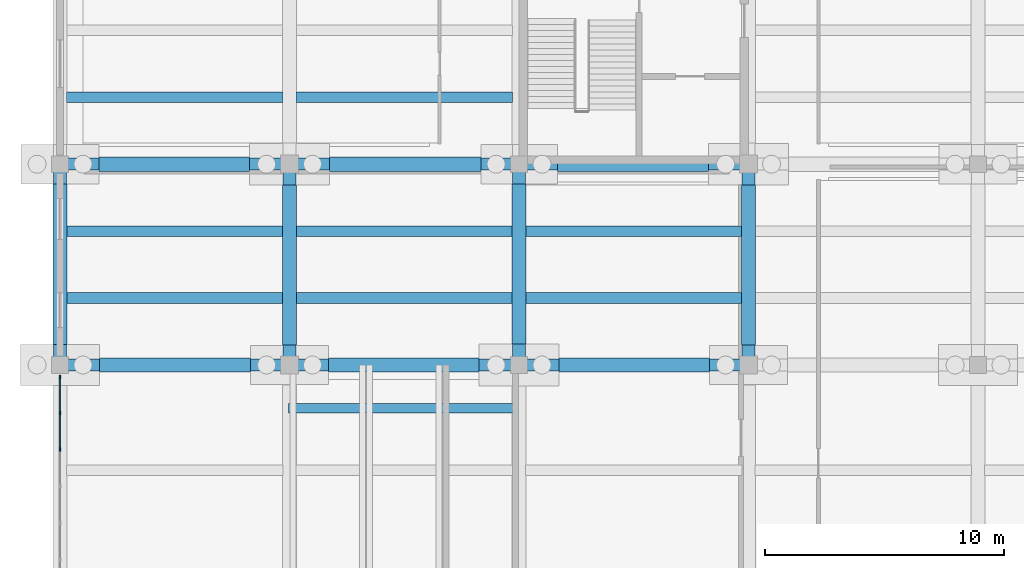
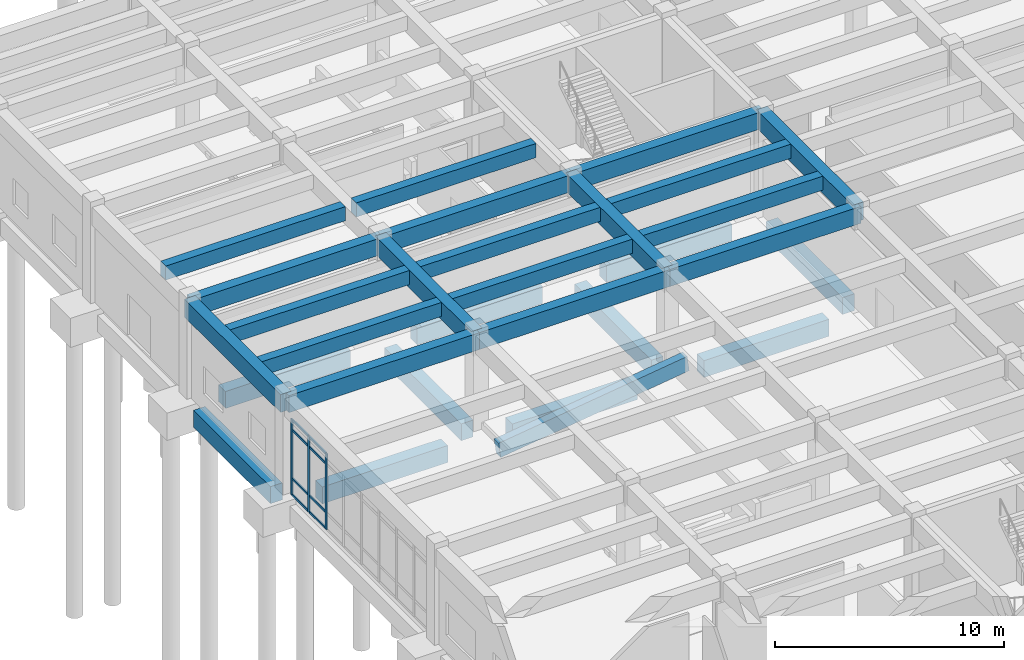
# One storey, part 17 of 102: 29 beams, 11 members, 1 element without a shape of its own.
"""IFC4 building model written with IfcOpenShell, lengths in metres."""

from ifc_helpers import new_model, si_unit, direction, frame, origin, origin_2d, place, context, subcontext, project, spatial, rectangle, extrude, material, layer, layer_set, material_profile, profile_set, type_object, element, aggregate, save


model = new_model("IFC4")

# Units and contexts
model_context = context("Model", 3, precision=1e-05, world=origin(), true_north=direction((0.0, 1.0)))
body_context = subcontext(model_context, "Body", "Model", "MODEL_VIEW")
ifc_project = project(units=[si_unit("LENGTHUNIT", "METRE"), si_unit("AREAUNIT", "SQUARE_METRE"), si_unit("VOLUMEUNIT", "CUBIC_METRE"), si_unit("PLANEANGLEUNIT", "RADIAN"), si_unit("MASSUNIT", "GRAM", prefix="KILO")], contexts=[model_context])

# Site, building, storey
site_placement = place(None, origin())
site = spatial("IfcSite", under=ifc_project, at=site_placement, CompositionType="ELEMENT")
building_placement = place(site_placement, origin())
building = spatial("IfcBuilding", under=site, at=building_placement, Name="Kolvemor Railside Polytechnic", CompositionType="ELEMENT")
storey_placement = place(building_placement, origin())
storey = spatial("IfcBuildingStorey", under=building, at=storey_placement, Name="L00", CompositionType="ELEMENT", Elevation=0.0)

# Beams
ifc_material_1 = material(Name="Concrete C40/50", Category="concrete")
ifc_material_profile_1 = material_profile(ifc_material_1, rectangle(XDim=0.550048828125, YDim=0.949951171875, at=origin_2d()), Name="RC550x950")
ifc_profile_set_1 = profile_set([ifc_material_profile_1], Name="Concrete C40/50")
beam_type_1 = type_object("IfcBeamType", Name="BM-RC-GIRD", PredefinedType="BEAM", material=ifc_profile_set_1)
for number, where, z_axis, x_axis, name in (
    (1, (0.0, 51.60009765625, 4.635009765625), (0.0, 1.0, 0.0), (-1.0, 0.0, 0.0), "Primary Girder L01-GY 0056"),
    (2, (9.60009765625, 51.60009765625, 4.635009765625), (0.0, 1.0, 0.0), (-1.0, 0.0, 0.0), "Primary Girder L01-GY 0065"),
    (3, (19.199951171875, 51.60009765625, 4.635009765625), (0.0, 1.0, 0.0), (-1.0, 0.0, 0.0), "Primary Girder L01-GY 0074"),
    (4, (28.800048828125, 51.60009765625, 4.635009765625), (0.0, 1.0, 0.0), (-1.0, 0.0, 0.0), "Primary Girder L01-GY 0083"),
):
    element("IfcBeam", number, at=place(storey_placement, frame(where, z_axis=z_axis, x_axis=x_axis)), inside=storey, type_object=beam_type_1, Name=name, PredefinedType="BEAM", context=body_context, shape_type="SweptSolid", body=[
        extrude(rectangle(XDim=0.550048828125, YDim=0.949951171875, at=origin_2d()), origin(), (0.0, 0.0, 1.0), 8.39990234375),
    ])
ifc_material_2 = material(Name="Concrete C40/50", Category="concrete")
ifc_material_profile_2 = material_profile(ifc_material_2, rectangle(XDim=0.5, YDim=0.89990234375, at=origin_2d()), Name="RC500x900")
ifc_profile_set_2 = profile_set([ifc_material_profile_2], Name="Concrete C40/50")
beam_type_2 = type_object("IfcBeamType", Name="BM-RC-GIRD4", PredefinedType="BEAM", material=ifc_profile_set_2)
beam_1_placement = place(storey_placement, frame((0.0, 51.60009765625, 4.659912109375), z_axis=(1.0, 0.0, 0.0), x_axis=(0.0, 1.0, 0.0)))
element("IfcBeam", 5, at=beam_1_placement, inside=storey, type_object=beam_type_2, Name="Primary Girder L01-GX 0026", PredefinedType="BEAM", context=body_context, shape_type="SweptSolid", body=[
    extrude(rectangle(XDim=0.5, YDim=0.89990234375, at=origin_2d()), origin(), (0.0, 0.0, 1.0), 9.60009765625),
])
beam_2_placement = place(storey_placement, frame((9.60009765625, 51.60009765625, 4.659912109375), z_axis=(1.0, 0.0, 0.0), x_axis=(0.0, 1.0, 0.0)))
element("IfcBeam", 6, at=beam_2_placement, inside=storey, type_object=beam_type_2, Name="Primary Girder L01-GX 0027", PredefinedType="BEAM", context=body_context, shape_type="SweptSolid", body=[
    extrude(rectangle(XDim=0.5, YDim=0.89990234375, at=origin_2d()), origin(), (0.0, 0.0, 1.0), 9.599853515625),
])
for number, where, z_axis, x_axis, name in (
    (7, (19.199951171875, 51.60009765625, 4.659912109375), (1.0, 0.0, 0.0), (0.0, 1.0, 0.0), "Primary Girder L01-GX 0028"),
    (8, (0.0, 60.0, 4.659912109375), (1.0, 0.0, 0.0), (0.0, 1.0, 0.0), "Primary Girder L01-GX 0031"),
):
    element("IfcBeam", number, at=place(storey_placement, frame(where, z_axis=z_axis, x_axis=x_axis)), inside=storey, type_object=beam_type_2, Name=name, PredefinedType="BEAM", context=body_context, shape_type="SweptSolid", body=[
        extrude(rectangle(XDim=0.5, YDim=0.89990234375, at=origin_2d()), origin(), (0.0, 0.0, 1.0), 9.60009765625),
    ])
beam_3_placement = place(storey_placement, frame((9.60009765625, 60.0, 4.659912109375), z_axis=(1.0, 0.0, 0.0), x_axis=(0.0, 1.0, 0.0)))
element("IfcBeam", 9, at=beam_3_placement, inside=storey, type_object=beam_type_2, Name="Primary Girder L01-GX 0032", PredefinedType="BEAM", context=body_context, shape_type="SweptSolid", body=[
    extrude(rectangle(XDim=0.5, YDim=0.89990234375, at=origin_2d()), origin(), (0.0, 0.0, 1.0), 9.599853515625),
])
beam_4_placement = place(storey_placement, frame((19.199951171875, 60.0, 4.659912109375), z_axis=(1.0, 0.0, 0.0), x_axis=(0.0, 1.0, 0.0)))
element("IfcBeam", 10, at=beam_4_placement, inside=storey, type_object=beam_type_2, Name="Primary Girder L01-GX 0033", PredefinedType="BEAM", context=body_context, shape_type="SweptSolid", body=[
    extrude(rectangle(XDim=0.5, YDim=0.89990234375, at=origin_2d()), origin(), (0.0, 0.0, 1.0), 9.60009765625),
])
ifc_material_3 = material(Name="Concrete C40/50", Category="concrete")
ifc_material_profile_3 = material_profile(ifc_material_3, rectangle(XDim=0.39990234375, YDim=0.800048828125, at=origin_2d()), Name="RC400x800")
ifc_profile_set_3 = profile_set([ifc_material_profile_3], Name="Concrete C40/50")
beam_type_3 = type_object("IfcBeamType", Name="BM-RC-RAKER", PredefinedType="BEAM", material=ifc_profile_set_3)
beam_5_placement = place(storey_placement, frame((9.60009765625, 49.800048828125, -0.10009765625), z_axis=(0.990765911477, 0.0, 0.135583585491), x_axis=(0.0, 1.0, 0.0)))
element("IfcBeam", 11, at=beam_5_placement, inside=storey, type_object=beam_type_3, Name="Lecture Raker Beam RK-2-2", PredefinedType="BEAM", context=body_context, shape_type="SweptSolid", body=[
    extrude(rectangle(XDim=0.39990234375, YDim=0.800048828125, at=origin_2d()), origin(), (0.0, 0.0, 1.0), 9.588623046875),
])
ifc_material_4 = material(Name="Concrete C40/50", Category="concrete")
ifc_material_profile_4 = material_profile(ifc_material_4, rectangle(XDim=0.449951171875, YDim=0.75, at=origin_2d()), Name="RC450x750")
ifc_profile_set_4 = profile_set([ifc_material_profile_4], Name="Concrete C40/50")
beam_type_4 = type_object("IfcBeamType", Name="BM-RC-SEC", PredefinedType="JOIST", material=ifc_profile_set_4)
for number, where, z_axis, x_axis, name in (
    (12, (0.27490234375, 54.39990234375, 4.735107421875), (1.0, 0.0, 0.0), (0.0, 1.0, 0.0), "Floor Joist L01-J0115"),
    (13, (0.27490234375, 57.199951171875, 4.735107421875), (1.0, 0.0, 0.0), (0.0, 1.0, 0.0), "Floor Joist L01-J0116"),
    (14, (0.27490234375, 62.800048828125, 4.735107421875), (1.0, 0.0, 0.0), (0.0, 1.0, 0.0), "Floor Joist L01-J0117"),
    (15, (9.875, 54.39990234375, 4.735107421875), (1.0, 0.0, 0.0), (0.0, 1.0, 0.0), "Floor Joist L01-J0133"),
    (16, (9.875, 57.199951171875, 4.735107421875), (1.0, 0.0, 0.0), (0.0, 1.0, 0.0), "Floor Joist L01-J0134"),
    (17, (9.875, 62.800048828125, 4.735107421875), (1.0, 0.0, 0.0), (0.0, 1.0, 0.0), "Floor Joist L01-J0135"),
):
    element("IfcBeam", number, at=place(storey_placement, frame(where, z_axis=z_axis, x_axis=x_axis)), inside=storey, type_object=beam_type_4, Name=name, PredefinedType="JOIST", context=body_context, shape_type="SweptSolid", body=[
        extrude(rectangle(XDim=0.449951171875, YDim=0.75, at=origin_2d()), origin(), (0.0, 0.0, 1.0), 9.050048828125),
    ])
for number, where, z_axis, x_axis, name in (
    (18, (19.47509765625, 54.39990234375, 4.735107421875), (1.0, 0.0, 0.0), (0.0, 1.0, 0.0), "Floor Joist L01-J0149"),
    (19, (19.47509765625, 57.199951171875, 4.735107421875), (1.0, 0.0, 0.0), (0.0, 1.0, 0.0), "Floor Joist L01-J0150"),
):
    element("IfcBeam", number, at=place(storey_placement, frame(where, z_axis=z_axis, x_axis=x_axis)), inside=storey, type_object=beam_type_4, Name=name, PredefinedType="JOIST", context=body_context, shape_type="SweptSolid", body=[
        extrude(rectangle(XDim=0.449951171875, YDim=0.75, at=origin_2d()), origin(), (0.0, 0.0, 1.0), 9.0498046875),
    ])
ifc_material_5 = material(Name="Concrete C40/50", Category="concrete")
ifc_material_profile_5 = material_profile(ifc_material_5, rectangle(XDim=0.60009765625, YDim=0.89990234375, at=origin_2d()), Name="RC600x900")
ifc_profile_set_5 = profile_set([ifc_material_profile_5], Name="Concrete C40/50")
beam_type_5 = type_object("IfcBeamType", Name="BM-RC-TIE", PredefinedType="BEAM", material=ifc_profile_set_5)
beam_6_placement = place(storey_placement, frame((1.652099609375, 51.60009765625, -0.75), z_axis=(1.0, 0.0, 0.0), x_axis=(0.0, 1.0, 0.0)))
element("IfcBeam", 20, at=beam_6_placement, inside=storey, type_object=beam_type_5, Name="Ground Tie Beam GTB-X135", PredefinedType="BEAM", context=body_context, shape_type="SweptSolid", body=[
    extrude(rectangle(XDim=0.60009765625, YDim=0.89990234375, at=origin_2d()), origin(), (0.0, 0.0, 1.0), 6.32080078125),
])
beam_7_placement = place(storey_placement, frame((11.22705078125, 51.60009765625, -0.75), z_axis=(1.0, 0.0, 0.0), x_axis=(0.0, 1.0, 0.0)))
element("IfcBeam", 21, at=beam_7_placement, inside=storey, type_object=beam_type_5, Name="Ground Tie Beam GTB-X136", PredefinedType="BEAM", context=body_context, shape_type="SweptSolid", body=[
    extrude(rectangle(XDim=0.60009765625, YDim=0.89990234375, at=origin_2d()), origin(), (0.0, 0.0, 1.0), 6.2958984375),
])
for number, where, z_axis, x_axis, name in (
    (22, (20.876953125, 51.60009765625, -0.75), (1.0, 0.0, 0.0), (0.0, 1.0, 0.0), "Ground Tie Beam GTB-X137"),
    (23, (1.626953125, 60.0, -0.75), (1.0, 0.0, 0.0), (0.0, 1.0, 0.0), "Ground Tie Beam GTB-X145"),
):
    element("IfcBeam", number, at=place(storey_placement, frame(where, z_axis=z_axis, x_axis=x_axis)), inside=storey, type_object=beam_type_5, Name=name, PredefinedType="BEAM", context=body_context, shape_type="SweptSolid", body=[
        extrude(rectangle(XDim=0.60009765625, YDim=0.89990234375, at=origin_2d()), origin(), (0.0, 0.0, 1.0), 6.296142578125),
    ])
beam_8_placement = place(storey_placement, frame((11.277099609375, 60.0, -0.75), z_axis=(1.0, 0.0, 0.0), x_axis=(0.0, 1.0, 0.0)))
element("IfcBeam", 24, at=beam_8_placement, inside=storey, type_object=beam_type_5, Name="Ground Tie Beam GTB-X146", PredefinedType="BEAM", context=body_context, shape_type="SweptSolid", body=[
    extrude(rectangle(XDim=0.60009765625, YDim=0.89990234375, at=origin_2d()), origin(), (0.0, 0.0, 1.0), 6.32080078125),
])
beam_9_placement = place(storey_placement, frame((20.802001953125, 60.0, -0.75), z_axis=(1.0, 0.0, 0.0), x_axis=(0.0, 1.0, 0.0)))
element("IfcBeam", 25, at=beam_9_placement, inside=storey, type_object=beam_type_5, Name="Ground Tie Beam GTB-X147", PredefinedType="BEAM", context=body_context, shape_type="SweptSolid", body=[
    extrude(rectangle(XDim=0.60009765625, YDim=0.89990234375, at=origin_2d()), origin(), (0.0, 0.0, 1.0), 6.321044921875),
])
beam_10_placement = place(storey_placement, frame((0.0, 52.451904296875, -0.75), z_axis=(0.0, 1.0, 0.0), x_axis=(-1.0, 0.0, 0.0)))
element("IfcBeam", 26, at=beam_10_placement, inside=storey, type_object=beam_type_5, Name="Ground Tie Beam GTB-Y234", PredefinedType="BEAM", context=body_context, shape_type="SweptSolid", body=[
    extrude(rectangle(XDim=0.60009765625, YDim=0.89990234375, at=origin_2d()), origin(), (0.0, 0.0, 1.0), 6.72119140625),
])
for number, where, z_axis, x_axis, name in (
    (27, (9.60009765625, 52.427001953125, -0.75), (0.0, 1.0, 0.0), (-1.0, 0.0, 0.0), "Ground Tie Beam GTB-Y244"),
    (28, (19.199951171875, 52.47705078125, -0.75), (0.0, 1.0, 0.0), (-1.0, 0.0, 0.0), "Ground Tie Beam GTB-Y254"),
    (29, (28.800048828125, 52.427001953125, -0.75), (0.0, 1.0, 0.0), (-1.0, 0.0, 0.0), "Ground Tie Beam GTB-Y267"),
):
    element("IfcBeam", number, at=place(storey_placement, frame(where, z_axis=z_axis, x_axis=x_axis)), inside=storey, type_object=beam_type_5, Name=name, PredefinedType="BEAM", context=body_context, shape_type="SweptSolid", body=[
        extrude(rectangle(XDim=0.60009765625, YDim=0.89990234375, at=origin_2d()), origin(), (0.0, 0.0, 1.0), 6.696044921875),
    ])

# Curtain wall, members
ifc_material_6 = material(Name="Anodised marine aluminium and laminated low-E glass", Category="aluminium")
ifc_layer = layer(ifc_material_6, 0.179931640625, Name="CW-UNIT-STD")
ifc_layer_set = layer_set([ifc_layer], Name="Anodised marine aluminium and laminated low-E glass")
curtain_wall_type = type_object("IfcCurtainWallType", Name="CW-UNIT-STD", PredefinedType="USERDEFINED", material=ifc_layer_set)
curtain_wall_placement = place(storey_placement, origin())
curtain_wall = element("IfcCurtainWall", 30, at=curtain_wall_placement, inside=storey, type_object=curtain_wall_type, Name="Curtain Wall L00-052", ObjectType="UNITISED CURTAIN WALL", PredefinedType="USERDEFINED")
ifc_material_7 = material(Name="Anodised marine aluminium 6063-T6", Category="aluminium")
ifc_material_profile_6 = material_profile(ifc_material_7, rectangle(XDim=0.06494140625, YDim=0.14990234375, at=origin_2d()), Name="CW-MUL-65x150")
ifc_profile_set_6 = profile_set([ifc_material_profile_6], Name="Anodised marine aluminium 6063-T6")
member_type_1 = type_object("IfcMemberType", Name="CWM-65x150", PredefinedType="MULLION", material=ifc_profile_set_6)
member_1_placement = place(storey_placement, frame((0.0, 51.097412109375, 0.0), z_axis=(0.0, 0.0, 1.0), x_axis=(1.0, 0.0, 0.0)))
member_1 = element("IfcMember", 31, at=member_1_placement, type_object=member_type_1, Name="CW-STD mullion 1", PredefinedType="MULLION", context=body_context, shape_type="SweptSolid", body=[
    extrude(rectangle(XDim=0.06494140625, YDim=0.14990234375, at=origin_2d()), origin(), (0.0, 0.0, 1.0), 4.0400390625),
])
member_2_placement = place(storey_placement, frame((0.0, 49.597412109375, 0.0), z_axis=(0.0, 0.0, 1.0), x_axis=(1.0, 0.0, 0.0)))
member_2 = element("IfcMember", 32, at=member_2_placement, type_object=member_type_1, Name="CW-STD mullion 2", PredefinedType="MULLION", context=body_context, shape_type="SweptSolid", body=[
    extrude(rectangle(XDim=0.06494140625, YDim=0.14990234375, at=origin_2d()), origin(), (0.0, 0.0, 1.0), 4.0400390625),
])
member_3_placement = place(storey_placement, frame((0.0, 48.06494140625, 0.0), z_axis=(0.0, 0.0, 1.0), x_axis=(1.0, 0.0, 0.0)))
member_3 = element("IfcMember", 33, at=member_3_placement, type_object=member_type_1, Name="CW-STD mullion 3", PredefinedType="MULLION", context=body_context, shape_type="SweptSolid", body=[
    extrude(rectangle(XDim=0.06494140625, YDim=0.14990234375, at=origin_2d()), origin(), (0.0, 0.0, 1.0), 4.0400390625),
])
ifc_material_8 = material(Name="Anodised marine aluminium 6063-T6", Category="aluminium")
ifc_material_profile_7 = material_profile(ifc_material_8, rectangle(XDim=0.06494140625, YDim=0.1201171875, at=origin_2d()), Name="CW-TRN-65x120")
ifc_profile_set_7 = profile_set([ifc_material_profile_7], Name="Anodised marine aluminium 6063-T6")
member_type_2 = type_object("IfcMemberType", Name="CWT-65x120", PredefinedType="USERDEFINED", material=ifc_profile_set_7)
member_4_placement = place(storey_placement, frame((0.0, 51.06494140625, 0.032470703125), z_axis=(0.0, -1.0, 0.0), x_axis=(1.0, 0.0, 0.0)))
member_4 = element("IfcMember", 34, at=member_4_placement, type_object=member_type_2, Name="CW-STD transom 1.1", ObjectType="TRANSOM", PredefinedType="USERDEFINED", context=body_context, shape_type="SweptSolid", body=[
    extrude(rectangle(XDim=0.06494140625, YDim=0.1201171875, at=origin_2d()), origin(), (0.0, 0.0, 1.0), 1.43505859375),
])
member_5_placement = place(storey_placement, frame((0.0, 51.06494140625, 0.89990234375), z_axis=(0.0, -1.0, 0.0), x_axis=(1.0, 0.0, 0.0)))
member_5 = element("IfcMember", 35, at=member_5_placement, type_object=member_type_2, Name="CW-STD transom 1.2", ObjectType="TRANSOM", PredefinedType="USERDEFINED", context=body_context, shape_type="SweptSolid", body=[
    extrude(rectangle(XDim=0.06494140625, YDim=0.1201171875, at=origin_2d()), origin(), (0.0, 0.0, 1.0), 1.43505859375),
])
member_6_placement = place(storey_placement, frame((0.0, 51.06494140625, 3.489990234375), z_axis=(0.0, -1.0, 0.0), x_axis=(1.0, 0.0, 0.0)))
member_6 = element("IfcMember", 36, at=member_6_placement, type_object=member_type_2, Name="CW-STD transom 1.3", ObjectType="TRANSOM", PredefinedType="USERDEFINED", context=body_context, shape_type="SweptSolid", body=[
    extrude(rectangle(XDim=0.06494140625, YDim=0.1201171875, at=origin_2d()), origin(), (0.0, 0.0, 1.0), 1.43505859375),
])
member_7_placement = place(storey_placement, frame((0.0, 51.06494140625, 4.007568359375), z_axis=(0.0, -1.0, 0.0), x_axis=(1.0, 0.0, 0.0)))
member_7 = element("IfcMember", 37, at=member_7_placement, type_object=member_type_2, Name="CW-STD transom 1.4", ObjectType="TRANSOM", PredefinedType="USERDEFINED", context=body_context, shape_type="SweptSolid", body=[
    extrude(rectangle(XDim=0.06494140625, YDim=0.1201171875, at=origin_2d()), origin(), (0.0, 0.0, 1.0), 1.43505859375),
])
member_8_placement = place(storey_placement, frame((0.0, 49.56494140625, 0.032470703125), z_axis=(0.0, -1.0, 0.0), x_axis=(1.0, 0.0, 0.0)))
member_8 = element("IfcMember", 38, at=member_8_placement, type_object=member_type_2, Name="CW-STD transom 2.1", ObjectType="TRANSOM", PredefinedType="USERDEFINED", context=body_context, shape_type="SweptSolid", body=[
    extrude(rectangle(XDim=0.06494140625, YDim=0.1201171875, at=origin_2d()), origin(), (0.0, 0.0, 1.0), 1.467529296875),
])
member_9_placement = place(storey_placement, frame((0.0, 49.56494140625, 0.89990234375), z_axis=(0.0, -1.0, 0.0), x_axis=(1.0, 0.0, 0.0)))
member_9 = element("IfcMember", 39, at=member_9_placement, type_object=member_type_2, Name="CW-STD transom 2.2", ObjectType="TRANSOM", PredefinedType="USERDEFINED", context=body_context, shape_type="SweptSolid", body=[
    extrude(rectangle(XDim=0.06494140625, YDim=0.1201171875, at=origin_2d()), origin(), (0.0, 0.0, 1.0), 1.467529296875),
])
member_10_placement = place(storey_placement, frame((0.0, 49.56494140625, 3.489990234375), z_axis=(0.0, -1.0, 0.0), x_axis=(1.0, 0.0, 0.0)))
member_10 = element("IfcMember", 40, at=member_10_placement, type_object=member_type_2, Name="CW-STD transom 2.3", ObjectType="TRANSOM", PredefinedType="USERDEFINED", context=body_context, shape_type="SweptSolid", body=[
    extrude(rectangle(XDim=0.06494140625, YDim=0.1201171875, at=origin_2d()), origin(), (0.0, 0.0, 1.0), 1.467529296875),
])
member_11_placement = place(storey_placement, frame((0.0, 49.56494140625, 4.007568359375), z_axis=(0.0, -1.0, 0.0), x_axis=(1.0, 0.0, 0.0)))
member_11 = element("IfcMember", 41, at=member_11_placement, type_object=member_type_2, Name="CW-STD transom 2.4", ObjectType="TRANSOM", PredefinedType="USERDEFINED", context=body_context, shape_type="SweptSolid", body=[
    extrude(rectangle(XDim=0.06494140625, YDim=0.1201171875, at=origin_2d()), origin(), (0.0, 0.0, 1.0), 1.467529296875),
])
aggregate(curtain_wall, [member_1, member_2, member_3, member_4, member_5, member_6, member_7, member_8, member_9, member_10, member_11])

save(model, "model.ifc")
